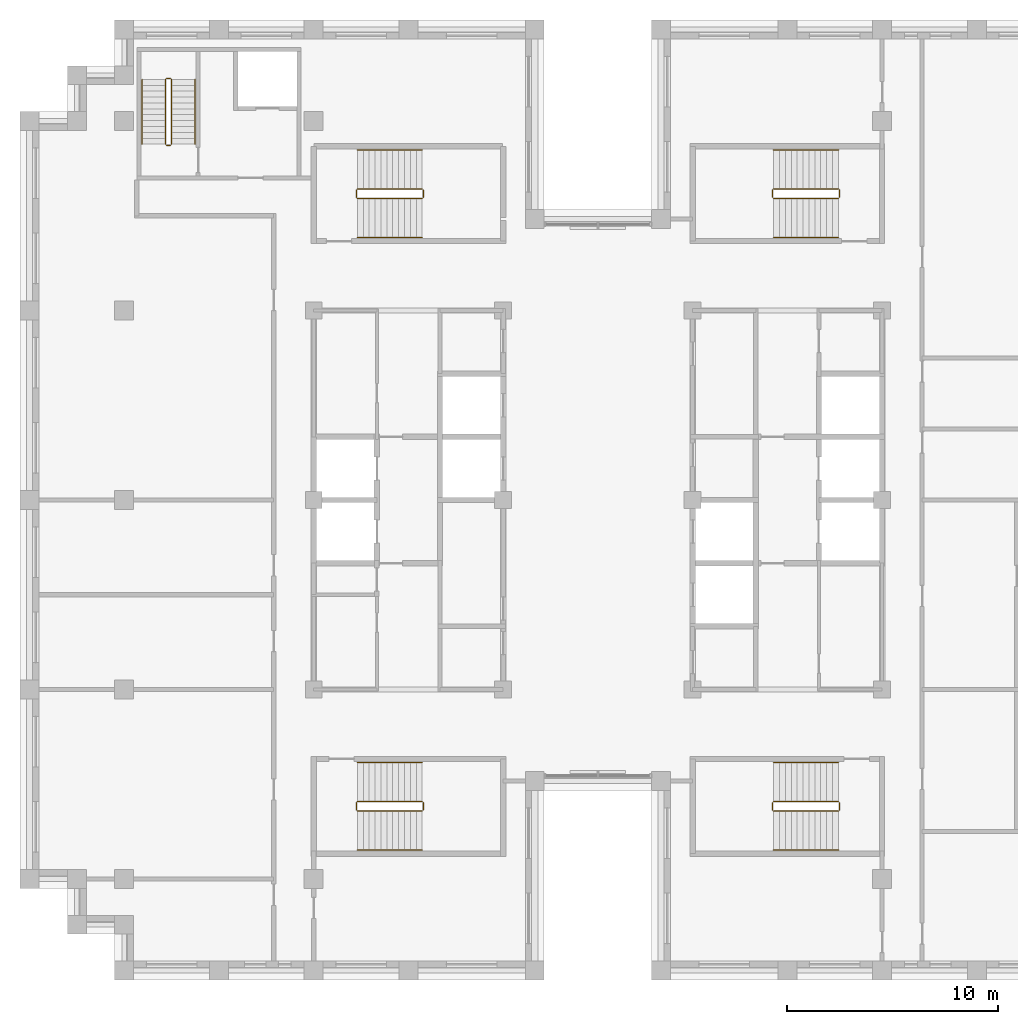
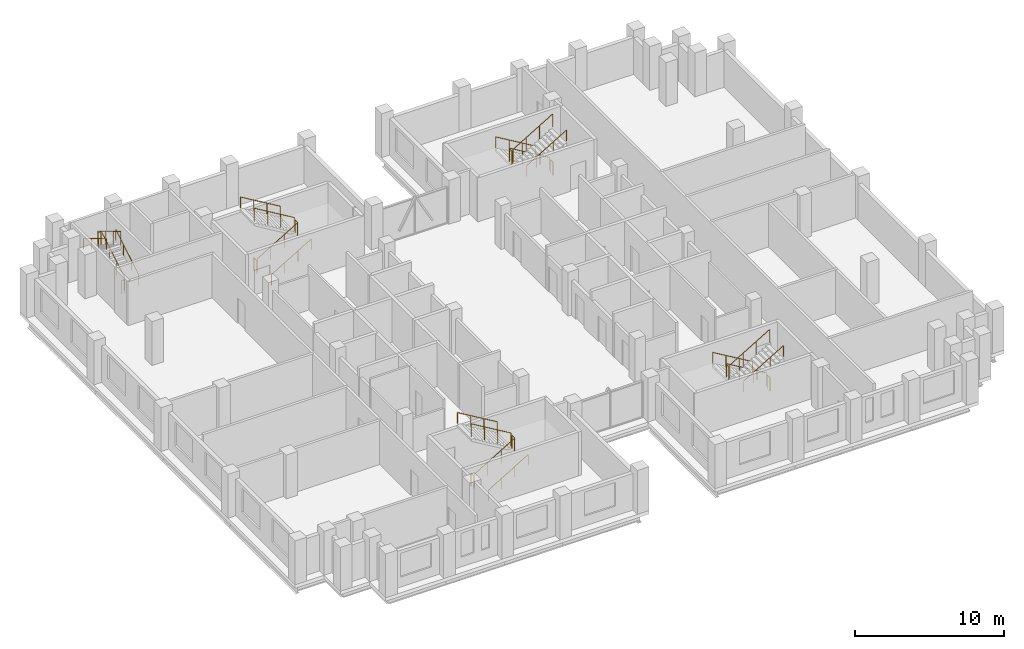
# One storey, part 13 of 13: 5 railings.
"""IFC4 building model written with IfcOpenShell, lengths in metres."""

from ifc_helpers import new_model, si_unit, direction, frame, origin, origin_2d, place, context, subcontext, project, spatial, circle, extrude, material, type_object, element, save


model = new_model("IFC4")

# Units and contexts
model_context = context("Model", 3, precision=1e-05, world=origin(), true_north=direction((0.0, 1.0)))
body_context = subcontext(model_context, "Body", "Model", "MODEL_VIEW")
ifc_project = project(units=[si_unit("LENGTHUNIT", "METRE"), si_unit("AREAUNIT", "SQUARE_METRE"), si_unit("VOLUMEUNIT", "CUBIC_METRE"), si_unit("PLANEANGLEUNIT", "RADIAN"), si_unit("MASSUNIT", "GRAM", prefix="KILO")], contexts=[model_context])

# Site, building, storey
site_placement = place(None, origin())
site = spatial("IfcSite", under=ifc_project, at=site_placement, CompositionType="ELEMENT")
building_placement = place(site_placement, origin())
building = spatial("IfcBuilding", under=site, at=building_placement, Name="Corbelhall Arena Tower", CompositionType="ELEMENT")
storey_placement = place(building_placement, frame((0.0, 0.0, 290.0)))
storey = spatial("IfcBuildingStorey", under=building, at=storey_placement, Name="L63", CompositionType="ELEMENT", Elevation=290.0)

# Railings
ifc_material = material(Name="Steel ASTM A500 Gr C", Category="steel")
railing_type = type_object("IfcRailingType", Name="IN-GD-1100", PredefinedType="GUARDRAIL", material=ifc_material)
railing_1_placement = place(storey_placement, frame((-11.425048828125, 14.324951171875, 0.166748046875)))
element("IfcRailing", 1, at=railing_1_placement, inside=storey, type_object=railing_type, Name="L63 ST1 stair guards and handrails", PredefinedType="GUARDRAIL", context=body_context, shape_type="SweptSolid", body=[
    extrude(circle(Radius=0.02392578125, at=origin_2d()), frame((0.0, 0.0, 1.076171875), z_axis=(0.859308565015, 0.0, 0.511457515432), x_axis=(0.0, 1.0, 0.0)), (0.0, 0.0, 1.0), 3.58447265625),
    extrude(circle(Radius=0.02392578125, at=origin_2d()), frame((3.130126953125, 0.050048828125, 2.9091796875), z_axis=(0.0, 1.0, 0.0), x_axis=(-1.0, 0.0, 0.0)), (0.0, 0.0, 1.0), 0.35009765625),
    extrude(circle(Radius=0.02392578125, at=origin_2d()), frame((3.080078125, 0.449951171875, 3.076171875), z_axis=(-0.859308565015, 0.0, 0.511457515432), x_axis=(0.0, -1.0, 0.0)), (0.0, 0.0, 1.0), 3.58447265625),
    extrude(circle(Radius=0.02392578125, at=origin_2d()), frame((-0.050048828125, 0.050048828125, 0.9091796875), z_axis=(0.0, 1.0, 0.0), x_axis=(-1.0, 0.0, 0.0)), (0.0, 0.0, 1.0), 0.35009765625),
    extrude(circle(Radius=0.02392578125, at=origin_2d()), frame((0.0, -1.849853515625, 0.8759765625), z_axis=(0.859308565015, 0.0, 0.511457515432), x_axis=(0.0, 1.0, 0.0)), (0.0, 0.0, 1.0), 3.58447265625),
    extrude(circle(Radius=0.02392578125, at=origin_2d()), frame((3.080078125, 2.300048828125, 2.8759765625), z_axis=(-0.859308565015, 0.0, 0.511457515432), x_axis=(0.0, -1.0, 0.0)), (0.0, 0.0, 1.0), 3.58447265625),
    extrude(circle(Radius=0.02099609375, at=origin_2d()), origin(), (0.0, 0.0, 1.0), 1.052001953125),
    extrude(circle(Radius=0.02099609375, at=origin_2d()), frame((1.026611328125, 0.0, 0.611083984375)), (0.0, 0.0, 1.0), 1.052001953125),
    extrude(circle(Radius=0.02099609375, at=origin_2d()), frame((2.053466796875, 0.0, 1.22216796875)), (0.0, 0.0, 1.0), 1.052001953125),
    extrude(circle(Radius=0.02099609375, at=origin_2d()), frame((3.080078125, 0.0, 1.833251953125)), (0.0, 0.0, 1.0), 1.052001953125),
    extrude(circle(Radius=0.02099609375, at=origin_2d()), frame((3.130126953125, 0.050048828125, 1.833251953125)), (0.0, 0.0, 1.0), 1.052001953125),
    extrude(circle(Radius=0.02099609375, at=origin_2d()), frame((3.130126953125, 0.400146484375, 1.833251953125)), (0.0, 0.0, 1.0), 1.052001953125),
    extrude(circle(Radius=0.02099609375, at=origin_2d()), frame((3.080078125, 0.449951171875, 2.0)), (0.0, 0.0, 1.0), 1.052001953125),
    extrude(circle(Radius=0.02099609375, at=origin_2d()), frame((2.053466796875, 0.449951171875, 2.611083984375)), (0.0, 0.0, 1.0), 1.052001953125),
    extrude(circle(Radius=0.02099609375, at=origin_2d()), frame((1.026611328125, 0.449951171875, 3.22216796875)), (0.0, 0.0, 1.0), 1.052001953125),
    extrude(circle(Radius=0.02099609375, at=origin_2d()), frame((0.0, 0.449951171875, 3.833251953125)), (0.0, 0.0, 1.0), 1.052001953125),
    extrude(circle(Radius=0.02099609375, at=origin_2d()), frame((-0.050048828125, 0.050048828125, -0.166748046875)), (0.0, 0.0, 1.0), 1.052001953125),
    extrude(circle(Radius=0.02099609375, at=origin_2d()), frame((-0.050048828125, 0.400146484375, -0.166748046875)), (0.0, 0.0, 1.0), 1.052001953125),
    extrude(circle(Radius=0.02099609375, at=origin_2d()), frame((0.0, -1.849853515625, 0.0)), (0.0, 0.0, 1.0), 0.851806640625),
    extrude(circle(Radius=0.02099609375, at=origin_2d()), frame((1.026611328125, -1.849853515625, 0.611083984375)), (0.0, 0.0, 1.0), 0.851806640625),
    extrude(circle(Radius=0.02099609375, at=origin_2d()), frame((2.053466796875, -1.849853515625, 1.22216796875)), (0.0, 0.0, 1.0), 0.851806640625),
    extrude(circle(Radius=0.02099609375, at=origin_2d()), frame((3.080078125, -1.849853515625, 1.833251953125)), (0.0, 0.0, 1.0), 0.851806640625),
    extrude(circle(Radius=0.02099609375, at=origin_2d()), frame((3.080078125, 2.300048828125, 2.0)), (0.0, 0.0, 1.0), 0.851806640625),
    extrude(circle(Radius=0.02099609375, at=origin_2d()), frame((2.053466796875, 2.300048828125, 2.611083984375)), (0.0, 0.0, 1.0), 0.851806640625),
    extrude(circle(Radius=0.02099609375, at=origin_2d()), frame((1.026611328125, 2.300048828125, 3.22216796875)), (0.0, 0.0, 1.0), 0.851806640625),
    extrude(circle(Radius=0.02099609375, at=origin_2d()), frame((0.0, 2.300048828125, 3.833251953125)), (0.0, 0.0, 1.0), 0.851806640625),
])
railing_2_placement = place(storey_placement, frame((-11.425048828125, -14.77490234375, 0.166748046875)))
element("IfcRailing", 2, at=railing_2_placement, inside=storey, type_object=railing_type, Name="L63 ST2 stair guards and handrails", PredefinedType="GUARDRAIL", context=body_context, shape_type="SweptSolid", body=[
    extrude(circle(Radius=0.02392578125, at=origin_2d()), frame((0.0, 0.0, 1.076171875), z_axis=(0.859308565015, 0.0, 0.511457515432), x_axis=(0.0, 1.0, 0.0)), (0.0, 0.0, 1.0), 3.58447265625),
    extrude(circle(Radius=0.02392578125, at=origin_2d()), frame((3.130126953125, 0.0498046875, 2.9091796875), z_axis=(0.0, 1.0, 0.0), x_axis=(-1.0, 0.0, 0.0)), (0.0, 0.0, 1.0), 0.35009765625),
    extrude(circle(Radius=0.02392578125, at=origin_2d()), frame((3.080078125, 0.449951171875, 3.076171875), z_axis=(-0.859308565015, 0.0, 0.511457515432), x_axis=(0.0, -1.0, 0.0)), (0.0, 0.0, 1.0), 3.58447265625),
    extrude(circle(Radius=0.02392578125, at=origin_2d()), frame((-0.050048828125, 0.0498046875, 0.9091796875), z_axis=(0.0, 1.0, 0.0), x_axis=(-1.0, 0.0, 0.0)), (0.0, 0.0, 1.0), 0.35009765625),
    extrude(circle(Radius=0.02392578125, at=origin_2d()), frame((0.0, -1.85009765625, 0.8759765625), z_axis=(0.859308565015, 0.0, 0.511457515432), x_axis=(0.0, 1.0, 0.0)), (0.0, 0.0, 1.0), 3.58447265625),
    extrude(circle(Radius=0.02392578125, at=origin_2d()), frame((3.080078125, 2.2998046875, 2.8759765625), z_axis=(-0.859308565015, 0.0, 0.511457515432), x_axis=(0.0, -1.0, 0.0)), (0.0, 0.0, 1.0), 3.58447265625),
    extrude(circle(Radius=0.02099609375, at=origin_2d()), origin(), (0.0, 0.0, 1.0), 1.052001953125),
    extrude(circle(Radius=0.02099609375, at=origin_2d()), frame((1.026611328125, 0.0, 0.611083984375)), (0.0, 0.0, 1.0), 1.052001953125),
    extrude(circle(Radius=0.02099609375, at=origin_2d()), frame((2.053466796875, 0.0, 1.22216796875)), (0.0, 0.0, 1.0), 1.052001953125),
    extrude(circle(Radius=0.02099609375, at=origin_2d()), frame((3.080078125, 0.0, 1.833251953125)), (0.0, 0.0, 1.0), 1.052001953125),
    extrude(circle(Radius=0.02099609375, at=origin_2d()), frame((3.130126953125, 0.0498046875, 1.833251953125)), (0.0, 0.0, 1.0), 1.052001953125),
    extrude(circle(Radius=0.02099609375, at=origin_2d()), frame((3.130126953125, 0.39990234375, 1.833251953125)), (0.0, 0.0, 1.0), 1.052001953125),
    extrude(circle(Radius=0.02099609375, at=origin_2d()), frame((3.080078125, 0.449951171875, 2.0)), (0.0, 0.0, 1.0), 1.052001953125),
    extrude(circle(Radius=0.02099609375, at=origin_2d()), frame((2.053466796875, 0.449951171875, 2.611083984375)), (0.0, 0.0, 1.0), 1.052001953125),
    extrude(circle(Radius=0.02099609375, at=origin_2d()), frame((1.026611328125, 0.449951171875, 3.22216796875)), (0.0, 0.0, 1.0), 1.052001953125),
    extrude(circle(Radius=0.02099609375, at=origin_2d()), frame((0.0, 0.449951171875, 3.833251953125)), (0.0, 0.0, 1.0), 1.052001953125),
    extrude(circle(Radius=0.02099609375, at=origin_2d()), frame((-0.050048828125, 0.0498046875, -0.166748046875)), (0.0, 0.0, 1.0), 1.052001953125),
    extrude(circle(Radius=0.02099609375, at=origin_2d()), frame((-0.050048828125, 0.39990234375, -0.166748046875)), (0.0, 0.0, 1.0), 1.052001953125),
    extrude(circle(Radius=0.02099609375, at=origin_2d()), frame((0.0, -1.85009765625, 0.0)), (0.0, 0.0, 1.0), 0.851806640625),
    extrude(circle(Radius=0.02099609375, at=origin_2d()), frame((1.026611328125, -1.85009765625, 0.611083984375)), (0.0, 0.0, 1.0), 0.851806640625),
    extrude(circle(Radius=0.02099609375, at=origin_2d()), frame((2.053466796875, -1.85009765625, 1.22216796875)), (0.0, 0.0, 1.0), 0.851806640625),
    extrude(circle(Radius=0.02099609375, at=origin_2d()), frame((3.080078125, -1.85009765625, 1.833251953125)), (0.0, 0.0, 1.0), 0.851806640625),
    extrude(circle(Radius=0.02099609375, at=origin_2d()), frame((3.080078125, 2.2998046875, 2.0)), (0.0, 0.0, 1.0), 0.851806640625),
    extrude(circle(Radius=0.02099609375, at=origin_2d()), frame((2.053466796875, 2.2998046875, 2.611083984375)), (0.0, 0.0, 1.0), 0.851806640625),
    extrude(circle(Radius=0.02099609375, at=origin_2d()), frame((1.026611328125, 2.2998046875, 3.22216796875)), (0.0, 0.0, 1.0), 0.851806640625),
    extrude(circle(Radius=0.02099609375, at=origin_2d()), frame((0.0, 2.2998046875, 3.833251953125)), (0.0, 0.0, 1.0), 0.851806640625),
])
railing_3_placement = place(storey_placement, frame((11.425048828125, 14.77490234375, 0.166748046875)))
element("IfcRailing", 3, at=railing_3_placement, inside=storey, type_object=railing_type, Name="L63 ST3 stair guards and handrails", PredefinedType="GUARDRAIL", context=body_context, shape_type="SweptSolid", body=[
    extrude(circle(Radius=0.02392578125, at=origin_2d()), frame((0.0, 0.0, 1.076171875), z_axis=(-0.859308565015, 0.0, 0.511457515432), x_axis=(0.0, -1.0, 0.0)), (0.0, 0.0, 1.0), 3.58447265625),
    extrude(circle(Radius=0.02392578125, at=origin_2d()), frame((-3.130126953125, -0.0498046875, 2.9091796875), z_axis=(0.0, -1.0, 0.0), x_axis=(1.0, 0.0, 0.0)), (0.0, 0.0, 1.0), 0.35009765625),
    extrude(circle(Radius=0.02392578125, at=origin_2d()), frame((-3.080078125, -0.449951171875, 3.076171875), z_axis=(0.859308565015, 0.0, 0.511457515432), x_axis=(0.0, 1.0, 0.0)), (0.0, 0.0, 1.0), 3.58447265625),
    extrude(circle(Radius=0.02392578125, at=origin_2d()), frame((0.050048828125, -0.0498046875, 0.9091796875), z_axis=(0.0, -1.0, 0.0), x_axis=(1.0, 0.0, 0.0)), (0.0, 0.0, 1.0), 0.35009765625),
    extrude(circle(Radius=0.02392578125, at=origin_2d()), frame((0.0, 1.85009765625, 0.8759765625), z_axis=(-0.859308565015, 0.0, 0.511457515432), x_axis=(0.0, -1.0, 0.0)), (0.0, 0.0, 1.0), 3.58447265625),
    extrude(circle(Radius=0.02392578125, at=origin_2d()), frame((-3.080078125, -2.2998046875, 2.8759765625), z_axis=(0.859308565015, 0.0, 0.511457515432), x_axis=(0.0, 1.0, 0.0)), (0.0, 0.0, 1.0), 3.58447265625),
    extrude(circle(Radius=0.02099609375, at=origin_2d()), origin(), (0.0, 0.0, 1.0), 1.052001953125),
    extrude(circle(Radius=0.02099609375, at=origin_2d()), frame((-1.026611328125, 0.0, 0.611083984375)), (0.0, 0.0, 1.0), 1.052001953125),
    extrude(circle(Radius=0.02099609375, at=origin_2d()), frame((-2.053466796875, 0.0, 1.22216796875)), (0.0, 0.0, 1.0), 1.052001953125),
    extrude(circle(Radius=0.02099609375, at=origin_2d()), frame((-3.080078125, 0.0, 1.833251953125)), (0.0, 0.0, 1.0), 1.052001953125),
    extrude(circle(Radius=0.02099609375, at=origin_2d()), frame((-3.130126953125, -0.0498046875, 1.833251953125)), (0.0, 0.0, 1.0), 1.052001953125),
    extrude(circle(Radius=0.02099609375, at=origin_2d()), frame((-3.130126953125, -0.39990234375, 1.833251953125)), (0.0, 0.0, 1.0), 1.052001953125),
    extrude(circle(Radius=0.02099609375, at=origin_2d()), frame((-3.080078125, -0.449951171875, 2.0)), (0.0, 0.0, 1.0), 1.052001953125),
    extrude(circle(Radius=0.02099609375, at=origin_2d()), frame((-2.053466796875, -0.449951171875, 2.611083984375)), (0.0, 0.0, 1.0), 1.052001953125),
    extrude(circle(Radius=0.02099609375, at=origin_2d()), frame((-1.026611328125, -0.449951171875, 3.22216796875)), (0.0, 0.0, 1.0), 1.052001953125),
    extrude(circle(Radius=0.02099609375, at=origin_2d()), frame((0.0, -0.449951171875, 3.833251953125)), (0.0, 0.0, 1.0), 1.052001953125),
    extrude(circle(Radius=0.02099609375, at=origin_2d()), frame((0.050048828125, -0.0498046875, -0.166748046875)), (0.0, 0.0, 1.0), 1.052001953125),
    extrude(circle(Radius=0.02099609375, at=origin_2d()), frame((0.050048828125, -0.39990234375, -0.166748046875)), (0.0, 0.0, 1.0), 1.052001953125),
    extrude(circle(Radius=0.02099609375, at=origin_2d()), frame((0.0, 1.85009765625, 0.0)), (0.0, 0.0, 1.0), 0.851806640625),
    extrude(circle(Radius=0.02099609375, at=origin_2d()), frame((-1.026611328125, 1.85009765625, 0.611083984375)), (0.0, 0.0, 1.0), 0.851806640625),
    extrude(circle(Radius=0.02099609375, at=origin_2d()), frame((-2.053466796875, 1.85009765625, 1.22216796875)), (0.0, 0.0, 1.0), 0.851806640625),
    extrude(circle(Radius=0.02099609375, at=origin_2d()), frame((-3.080078125, 1.85009765625, 1.833251953125)), (0.0, 0.0, 1.0), 0.851806640625),
    extrude(circle(Radius=0.02099609375, at=origin_2d()), frame((-3.080078125, -2.2998046875, 2.0)), (0.0, 0.0, 1.0), 0.851806640625),
    extrude(circle(Radius=0.02099609375, at=origin_2d()), frame((-2.053466796875, -2.2998046875, 2.611083984375)), (0.0, 0.0, 1.0), 0.851806640625),
    extrude(circle(Radius=0.02099609375, at=origin_2d()), frame((-1.026611328125, -2.2998046875, 3.22216796875)), (0.0, 0.0, 1.0), 0.851806640625),
    extrude(circle(Radius=0.02099609375, at=origin_2d()), frame((0.0, -2.2998046875, 3.833251953125)), (0.0, 0.0, 1.0), 0.851806640625),
])
railing_4_placement = place(storey_placement, frame((11.425048828125, -14.324951171875, 0.166748046875)))
element("IfcRailing", 4, at=railing_4_placement, inside=storey, type_object=railing_type, Name="L63 ST4 stair guards and handrails", PredefinedType="GUARDRAIL", context=body_context, shape_type="SweptSolid", body=[
    extrude(circle(Radius=0.02392578125, at=origin_2d()), frame((0.0, 0.0, 1.076171875), z_axis=(-0.859308565015, 0.0, 0.511457515432), x_axis=(0.0, -1.0, 0.0)), (0.0, 0.0, 1.0), 3.58447265625),
    extrude(circle(Radius=0.02392578125, at=origin_2d()), frame((-3.130126953125, -0.050048828125, 2.9091796875), z_axis=(0.0, -1.0, 0.0), x_axis=(1.0, 0.0, 0.0)), (0.0, 0.0, 1.0), 0.35009765625),
    extrude(circle(Radius=0.02392578125, at=origin_2d()), frame((-3.080078125, -0.449951171875, 3.076171875), z_axis=(0.859308565015, 0.0, 0.511457515432), x_axis=(0.0, 1.0, 0.0)), (0.0, 0.0, 1.0), 3.58447265625),
    extrude(circle(Radius=0.02392578125, at=origin_2d()), frame((0.050048828125, -0.050048828125, 0.9091796875), z_axis=(0.0, -1.0, 0.0), x_axis=(1.0, 0.0, 0.0)), (0.0, 0.0, 1.0), 0.35009765625),
    extrude(circle(Radius=0.02392578125, at=origin_2d()), frame((0.0, 1.849853515625, 0.8759765625), z_axis=(-0.859308565015, 0.0, 0.511457515432), x_axis=(0.0, -1.0, 0.0)), (0.0, 0.0, 1.0), 3.58447265625),
    extrude(circle(Radius=0.02392578125, at=origin_2d()), frame((-3.080078125, -2.300048828125, 2.8759765625), z_axis=(0.859308565015, 0.0, 0.511457515432), x_axis=(0.0, 1.0, 0.0)), (0.0, 0.0, 1.0), 3.58447265625),
    extrude(circle(Radius=0.02099609375, at=origin_2d()), origin(), (0.0, 0.0, 1.0), 1.052001953125),
    extrude(circle(Radius=0.02099609375, at=origin_2d()), frame((-1.026611328125, 0.0, 0.611083984375)), (0.0, 0.0, 1.0), 1.052001953125),
    extrude(circle(Radius=0.02099609375, at=origin_2d()), frame((-2.053466796875, 0.0, 1.22216796875)), (0.0, 0.0, 1.0), 1.052001953125),
    extrude(circle(Radius=0.02099609375, at=origin_2d()), frame((-3.080078125, 0.0, 1.833251953125)), (0.0, 0.0, 1.0), 1.052001953125),
    extrude(circle(Radius=0.02099609375, at=origin_2d()), frame((-3.130126953125, -0.050048828125, 1.833251953125)), (0.0, 0.0, 1.0), 1.052001953125),
    extrude(circle(Radius=0.02099609375, at=origin_2d()), frame((-3.130126953125, -0.400146484375, 1.833251953125)), (0.0, 0.0, 1.0), 1.052001953125),
    extrude(circle(Radius=0.02099609375, at=origin_2d()), frame((-3.080078125, -0.449951171875, 2.0)), (0.0, 0.0, 1.0), 1.052001953125),
    extrude(circle(Radius=0.02099609375, at=origin_2d()), frame((-2.053466796875, -0.449951171875, 2.611083984375)), (0.0, 0.0, 1.0), 1.052001953125),
    extrude(circle(Radius=0.02099609375, at=origin_2d()), frame((-1.026611328125, -0.449951171875, 3.22216796875)), (0.0, 0.0, 1.0), 1.052001953125),
    extrude(circle(Radius=0.02099609375, at=origin_2d()), frame((0.0, -0.449951171875, 3.833251953125)), (0.0, 0.0, 1.0), 1.052001953125),
    extrude(circle(Radius=0.02099609375, at=origin_2d()), frame((0.050048828125, -0.050048828125, -0.166748046875)), (0.0, 0.0, 1.0), 1.052001953125),
    extrude(circle(Radius=0.02099609375, at=origin_2d()), frame((0.050048828125, -0.400146484375, -0.166748046875)), (0.0, 0.0, 1.0), 1.052001953125),
    extrude(circle(Radius=0.02099609375, at=origin_2d()), frame((0.0, 1.849853515625, 0.0)), (0.0, 0.0, 1.0), 0.851806640625),
    extrude(circle(Radius=0.02099609375, at=origin_2d()), frame((-1.026611328125, 1.849853515625, 0.611083984375)), (0.0, 0.0, 1.0), 0.851806640625),
    extrude(circle(Radius=0.02099609375, at=origin_2d()), frame((-2.053466796875, 1.849853515625, 1.22216796875)), (0.0, 0.0, 1.0), 0.851806640625),
    extrude(circle(Radius=0.02099609375, at=origin_2d()), frame((-3.080078125, 1.849853515625, 1.833251953125)), (0.0, 0.0, 1.0), 0.851806640625),
    extrude(circle(Radius=0.02099609375, at=origin_2d()), frame((-3.080078125, -2.300048828125, 2.0)), (0.0, 0.0, 1.0), 0.851806640625),
    extrude(circle(Radius=0.02099609375, at=origin_2d()), frame((-2.053466796875, -2.300048828125, 2.611083984375)), (0.0, 0.0, 1.0), 0.851806640625),
    extrude(circle(Radius=0.02099609375, at=origin_2d()), frame((-1.026611328125, -2.300048828125, 3.22216796875)), (0.0, 0.0, 1.0), 0.851806640625),
    extrude(circle(Radius=0.02099609375, at=origin_2d()), frame((0.0, -2.300048828125, 3.833251953125)), (0.0, 0.0, 1.0), 0.851806640625),
])
railing_5_placement = place(storey_placement, frame((-20.2451171875, 16.89990234375, 0.166748046875)))
element("IfcRailing", 5, at=railing_5_placement, inside=storey, type_object=railing_type, Name="L63 ST5 stair guards and handrails", PredefinedType="GUARDRAIL", context=body_context, shape_type="SweptSolid", body=[
    extrude(circle(Radius=0.02392578125, at=origin_2d()), frame((0.0, 0.0, 1.076171875), z_axis=(0.0, 0.859308565015, 0.511457515432), x_axis=(-1.0, 0.0, 0.0)), (0.0, 0.0, 1.0), 3.58447265625),
    extrude(circle(Radius=0.02392578125, at=origin_2d()), frame((-0.0498046875, 3.130126953125, 2.9091796875), z_axis=(-1.0, 0.0, 0.0), x_axis=(0.0, -1.0, 0.0)), (0.0, 0.0, 1.0), 0.2001953125),
    extrude(circle(Radius=0.02392578125, at=origin_2d()), frame((-0.2998046875, 3.080078125, 3.076171875), z_axis=(0.0, -0.859308565015, 0.511457515432), x_axis=(1.0, 0.0, 0.0)), (0.0, 0.0, 1.0), 3.58447265625),
    extrude(circle(Radius=0.02392578125, at=origin_2d()), frame((-0.0498046875, -0.0498046875, 0.9091796875), z_axis=(-1.0, 0.0, 0.0), x_axis=(0.0, -1.0, 0.0)), (0.0, 0.0, 1.0), 0.2001953125),
    extrude(circle(Radius=0.02392578125, at=origin_2d()), frame((1.10009765625, 0.0, 0.8759765625), z_axis=(0.0, 0.859308565015, 0.511457515432), x_axis=(-1.0, 0.0, 0.0)), (0.0, 0.0, 1.0), 3.58447265625),
    extrude(circle(Radius=0.02392578125, at=origin_2d()), frame((-1.39990234375, 3.080078125, 2.8759765625), z_axis=(0.0, -0.859308565015, 0.511457515432), x_axis=(1.0, 0.0, 0.0)), (0.0, 0.0, 1.0), 3.58447265625),
    extrude(circle(Radius=0.02099609375, at=origin_2d()), origin(), (0.0, 0.0, 1.0), 1.052001953125),
    extrude(circle(Radius=0.02099609375, at=origin_2d()), frame((0.0, 1.026611328125, 0.611083984375)), (0.0, 0.0, 1.0), 1.052001953125),
    extrude(circle(Radius=0.02099609375, at=origin_2d()), frame((0.0, 2.053466796875, 1.22216796875)), (0.0, 0.0, 1.0), 1.052001953125),
    extrude(circle(Radius=0.02099609375, at=origin_2d()), frame((0.0, 3.080078125, 1.833251953125)), (0.0, 0.0, 1.0), 1.052001953125),
    extrude(circle(Radius=0.02099609375, at=origin_2d()), frame((-0.0498046875, 3.130126953125, 1.833251953125)), (0.0, 0.0, 1.0), 1.052001953125),
    extrude(circle(Radius=0.02099609375, at=origin_2d()), frame((-0.25, 3.130126953125, 1.833251953125)), (0.0, 0.0, 1.0), 1.052001953125),
    extrude(circle(Radius=0.02099609375, at=origin_2d()), frame((-0.2998046875, 3.080078125, 2.0)), (0.0, 0.0, 1.0), 1.052001953125),
    extrude(circle(Radius=0.02099609375, at=origin_2d()), frame((-0.2998046875, 2.053466796875, 2.611083984375)), (0.0, 0.0, 1.0), 1.052001953125),
    extrude(circle(Radius=0.02099609375, at=origin_2d()), frame((-0.2998046875, 1.026611328125, 3.22216796875)), (0.0, 0.0, 1.0), 1.052001953125),
    extrude(circle(Radius=0.02099609375, at=origin_2d()), frame((-0.2998046875, 0.0, 3.833251953125)), (0.0, 0.0, 1.0), 1.052001953125),
    extrude(circle(Radius=0.02099609375, at=origin_2d()), frame((-0.0498046875, -0.0498046875, -0.166748046875)), (0.0, 0.0, 1.0), 1.052001953125),
    extrude(circle(Radius=0.02099609375, at=origin_2d()), frame((-0.25, -0.0498046875, -0.166748046875)), (0.0, 0.0, 1.0), 1.052001953125),
    extrude(circle(Radius=0.02099609375, at=origin_2d()), frame((1.10009765625, 0.0, 0.0)), (0.0, 0.0, 1.0), 0.851806640625),
    extrude(circle(Radius=0.02099609375, at=origin_2d()), frame((1.10009765625, 1.026611328125, 0.611083984375)), (0.0, 0.0, 1.0), 0.851806640625),
    extrude(circle(Radius=0.02099609375, at=origin_2d()), frame((1.10009765625, 2.053466796875, 1.22216796875)), (0.0, 0.0, 1.0), 0.851806640625),
    extrude(circle(Radius=0.02099609375, at=origin_2d()), frame((1.10009765625, 3.080078125, 1.833251953125)), (0.0, 0.0, 1.0), 0.851806640625),
    extrude(circle(Radius=0.02099609375, at=origin_2d()), frame((-1.39990234375, 3.080078125, 2.0)), (0.0, 0.0, 1.0), 0.851806640625),
    extrude(circle(Radius=0.02099609375, at=origin_2d()), frame((-1.39990234375, 2.053466796875, 2.611083984375)), (0.0, 0.0, 1.0), 0.851806640625),
    extrude(circle(Radius=0.02099609375, at=origin_2d()), frame((-1.39990234375, 1.026611328125, 3.22216796875)), (0.0, 0.0, 1.0), 0.851806640625),
    extrude(circle(Radius=0.02099609375, at=origin_2d()), frame((-1.39990234375, 0.0, 3.833251953125)), (0.0, 0.0, 1.0), 0.851806640625),
])

save(model, "model.ifc")
